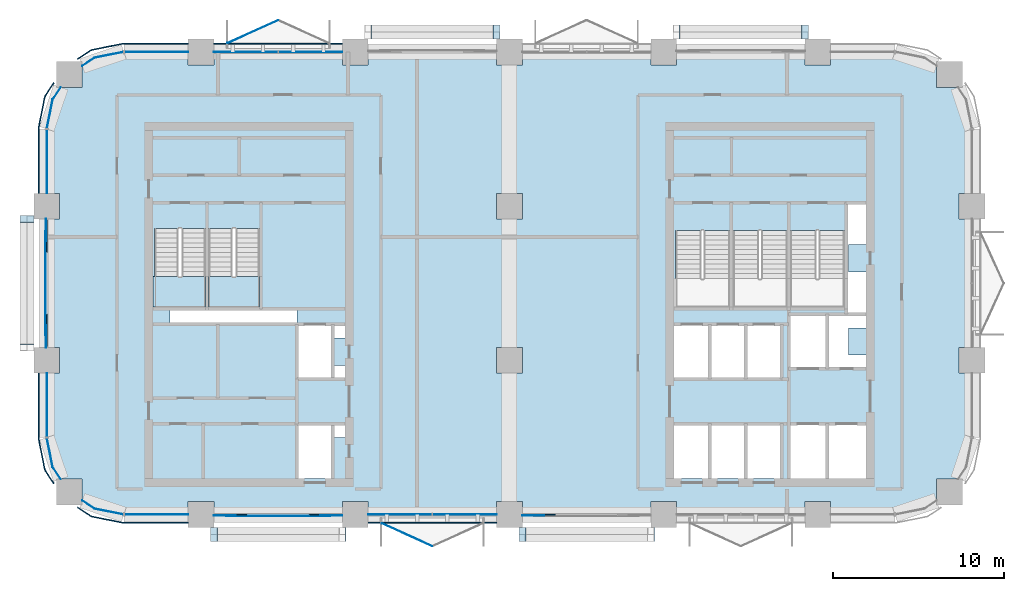
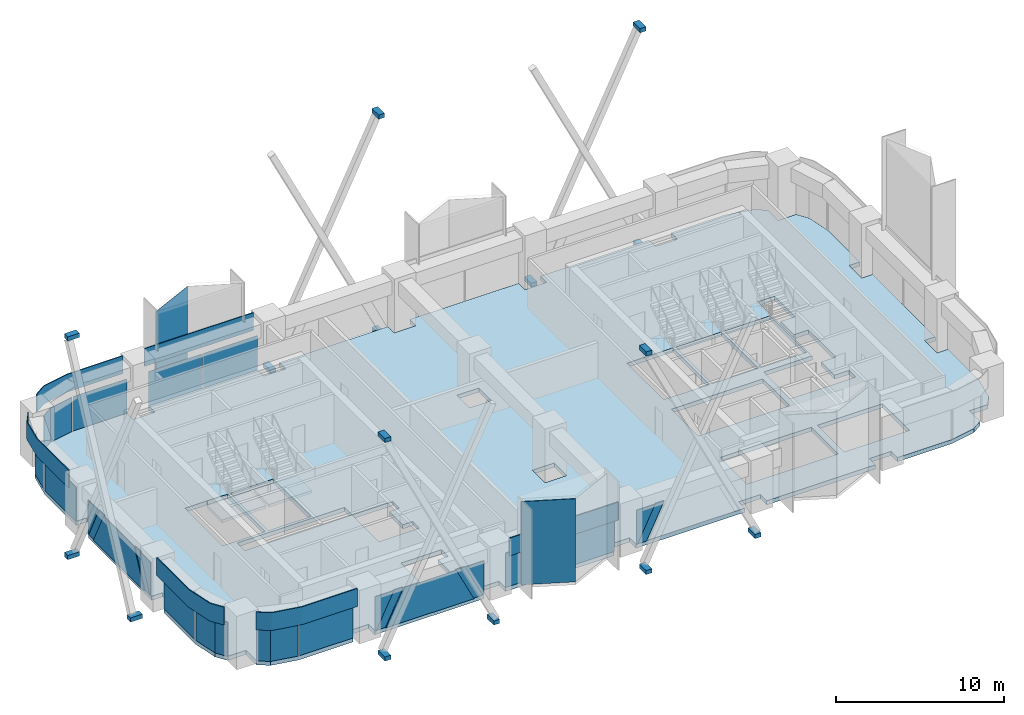
# One storey, part 7 of 14: 32 plates, 15 members, 3 slabs, 11 elements without a shape of their own.
"""IFC4 building model written with IfcOpenShell, lengths in metres."""

from ifc_helpers import new_model, si_unit, direction, frame, origin, origin_2d, place, context, subcontext, project, spatial, polyline, rectangle, outline, extrude, material, layer, layer_set, type_object, element, aggregate, save


model = new_model("IFC4")

# Units and contexts
model_context = context("Model", 3, precision=1e-05, world=origin(), true_north=direction((0.0, 1.0)))
body_context = subcontext(model_context, "Body", "Model", "MODEL_VIEW")
ifc_project = project(units=[si_unit("LENGTHUNIT", "METRE"), si_unit("AREAUNIT", "SQUARE_METRE"), si_unit("VOLUMEUNIT", "CUBIC_METRE"), si_unit("PLANEANGLEUNIT", "RADIAN"), si_unit("MASSUNIT", "GRAM", prefix="KILO")], contexts=[model_context])

# Site, building, storey
site_placement = place(None, origin())
site = spatial("IfcSite", under=ifc_project, at=site_placement, CompositionType="ELEMENT")
building_placement = place(site_placement, origin())
building = spatial("IfcBuilding", under=site, at=building_placement, Name="Tessera Arch", CompositionType="ELEMENT")
storey_placement = place(building_placement, frame((0.0, 0.0, 181.699951171875)))
storey = spatial("IfcBuildingStorey", under=building, at=storey_placement, Name="L43", CompositionType="ELEMENT", Elevation=181.699951171875)

# Members
ifc_material_1 = material(Name="Steel A572 Gr50", Category="steel")
ifc_layer_1 = layer(ifc_material_1, 0.050048828125)
ifc_layer_set_1 = layer_set([ifc_layer_1], Name="Node block Steel A572 Gr50")
member_type = type_object("IfcMemberType", Name="Node block Steel A572 Gr50", PredefinedType="PLATE", material=ifc_layer_set_1)
for number, where, z_axis, x_axis, name in (
    (1, (36.75, 55.156494140625, -1.21142578125), (0.0, 0.0, 1.0), (-1.0, 0.0, 0.0), "Node block seat N54.0-1 1 L43"),
    (2, (44.25, 55.156494140625, -1.21142578125), (0.0, 0.0, 1.0), (-1.0, 0.0, 0.0), "Node block seat N54.0-1 2 L43"),
    (3, (44.25, 55.156494140625, 14.71142578125), (0.0, 0.0, 1.0), (-1.0, 0.0, 0.0), "Node block head N54.0-1 B L43"),
    (4, (18.75, 55.156494140625, -1.21142578125), (0.0, 0.0, 1.0), (-1.0, 0.0, 0.0), "Node block seat N54.0-3 1 L43"),
    (5, (26.25, 55.156494140625, -1.21142578125), (0.0, 0.0, 1.0), (-1.0, 0.0, 0.0), "Node block seat N54.0-3 2 L43"),
    (6, (26.25, 55.156494140625, 14.71142578125), (0.0, 0.0, 1.0), (-1.0, 0.0, 0.0), "Node block head N54.0-3 B L43"),
    (7, (-1.156494140625, 36.75, -1.21142578125), (0.0, 0.0, 1.0), (0.0, -1.0, 0.0), "Node block seat W0.27-1 1 L43"),
    (8, (-1.156494140625, 44.25, -1.21142578125), (0.0, 0.0, 1.0), (0.0, -1.0, 0.0), "Node block seat W0.27-1 2 L43"),
    (9, (-1.156494140625, 44.25, 14.71142578125), (0.0, 0.0, 1.0), (0.0, -1.0, 0.0), "Node block head W0.27-1 B L43"),
    (10, (17.25, 25.843505859375, -1.21142578125), (0.0, 0.0, 1.0), (1.0, 0.0, 0.0), "Node block seat S27.0-1 1 L43"),
    (11, (9.75, 25.843505859375, -1.21142578125), (0.0, 0.0, 1.0), (1.0, 0.0, 0.0), "Node block seat S27.0-1 2 L43"),
    (12, (9.75, 25.843505859375, 14.71142578125), (0.0, 0.0, 1.0), (1.0, 0.0, 0.0), "Node block head S27.0-1 B L43"),
    (13, (35.25, 25.843505859375, -1.21142578125), (0.0, 0.0, 1.0), (1.0, 0.0, 0.0), "Node block seat S27.0-3 1 L43"),
    (14, (27.75, 25.843505859375, -1.21142578125), (0.0, 0.0, 1.0), (1.0, 0.0, 0.0), "Node block seat S27.0-3 2 L43"),
    (15, (27.75, 25.843505859375, 14.71142578125), (0.0, 0.0, 1.0), (1.0, 0.0, 0.0), "Node block head S27.0-3 B L43"),
):
    element("IfcMember", number, at=place(storey_placement, frame(where, z_axis=z_axis, x_axis=x_axis)), inside=storey, type_object=member_type, Name=name, PredefinedType="PLATE", context=body_context, shape_type="SweptSolid", body=[
        extrude(rectangle(XDim=0.406494140625, YDim=0.812744140625, at=origin_2d()), origin(), (0.0, 0.0, 1.0), 0.300048828125),
    ])

# Curtain wall, plates
ifc_material_2 = material(Name="CW1 curtain wall")
curtain_wall_type_1 = type_object("IfcCurtainWallType", Name="CW1 curtain wall", PredefinedType="NOTDEFINED", material=ifc_material_2)
curtain_wall_1_placement = place(storey_placement, origin())
curtain_wall_1 = element("IfcCurtainWall", 16, at=curtain_wall_1_placement, inside=storey, type_object=curtain_wall_type_1, Name="CW1 curtain wall N54.0/4 L43", PredefinedType="NOTDEFINED")
ifc_material_3 = material(Name="Clear low-e glass", Category="glass")
ifc_material_4 = material(Name="Clear low-e glass", Category="glass")
ifc_layer_2 = layer(ifc_material_4, 0.028076171875)
ifc_layer_set_2 = layer_set([ifc_layer_2], Name="CW1 glass panel")
plate_type_1 = type_object("IfcPlateType", Name="CW1 glass panel", PredefinedType="CURTAIN_PANEL", material=ifc_layer_set_2)
plate_1_placement = place(storey_placement, frame((15.389892578125, 54.0, 0.0), z_axis=(0.0, 0.0, 1.0), x_axis=(-1.0, 0.0, 0.0)))
plate_1 = element("IfcPlate", 17, at=plate_1_placement, type_object=plate_type_1, material=ifc_material_3, Name="CW1 glass panel N54.0/4 1.1.1", PredefinedType="CURTAIN_PANEL", context=body_context, shape_type="SweptSolid", body=[
    extrude(rectangle(XDim=3.719970703125, YDim=0.028076171875, at=origin_2d()), origin(), (0.0, 0.0, 1.0), 2.5),
])
plate_2_placement = place(storey_placement, frame((11.610107421875, 54.0, 0.0), z_axis=(0.0, 0.0, 1.0), x_axis=(-1.0, 0.0, 0.0)))
plate_2 = element("IfcPlate", 18, at=plate_2_placement, type_object=plate_type_1, material=ifc_material_3, Name="CW1 glass panel N54.0/4 1.2.1", PredefinedType="CURTAIN_PANEL", context=body_context, shape_type="SweptSolid", body=[
    extrude(rectangle(XDim=3.719970703125, YDim=0.028076171875, at=origin_2d()), origin(), (0.0, 0.0, 1.0), 2.5),
])

curtain_wall_2_placement = place(storey_placement, origin())
curtain_wall_2 = element("IfcCurtainWall", 19, at=curtain_wall_2_placement, inside=storey, type_object=curtain_wall_type_1, Name="CW1 curtain wall S27.0/2 L43", PredefinedType="NOTDEFINED")
plate_3_placement = place(storey_placement, frame((20.610107421875, 27.0, 0.0), z_axis=(0.0, 0.0, 1.0), x_axis=(1.0, 0.0, 0.0)))
plate_3 = element("IfcPlate", 20, at=plate_3_placement, type_object=plate_type_1, material=ifc_material_3, Name="CW1 glass panel S27.0/2 1.1.1", PredefinedType="CURTAIN_PANEL", context=body_context, shape_type="SweptSolid", body=[
    extrude(rectangle(XDim=3.719970703125, YDim=0.028076171875, at=origin_2d()), origin(), (0.0, 0.0, 1.0), 2.5),
])
plate_4_placement = place(storey_placement, frame((24.389892578125, 27.0, 0.0), z_axis=(0.0, 0.0, 1.0), x_axis=(1.0, 0.0, 0.0)))
plate_4 = element("IfcPlate", 21, at=plate_4_placement, type_object=plate_type_1, material=ifc_material_3, Name="CW1 glass panel S27.0/2 1.2.1", PredefinedType="CURTAIN_PANEL", context=body_context, shape_type="SweptSolid", body=[
    extrude(rectangle(XDim=3.719970703125, YDim=0.028076171875, at=origin_2d()), origin(), (0.0, 0.0, 1.0), 2.5),
])

# Plate
ifc_material_5 = material(Name="Pale anodised aluminium panel", Category="aluminium")
ifc_layer_3 = layer(ifc_material_5, 0.06005859375)
ifc_layer_set_3 = layer_set([ifc_layer_3], Name="CW1 spandrel panel")
plate_type_2 = type_object("IfcPlateType", Name="CW1 spandrel panel", PredefinedType="CURTAIN_PANEL", material=ifc_layer_set_3)
plate_5_placement = place(storey_placement, frame((13.5, 54.47998046875, 2.60009765625), z_axis=(0.0, 0.0, 1.0), x_axis=(-1.0, 0.0, 0.0)))
plate_5 = element("IfcPlate", 22, at=plate_5_placement, type_object=plate_type_2, Name="CW1 spandrel panel N54.0/4", PredefinedType="CURTAIN_PANEL", context=body_context, shape_type="SweptSolid", body=[
    extrude(rectangle(XDim=7.5, YDim=0.06005859375, at=origin_2d()), origin(), (0.0, 0.0, 1.0), 1.300048828125),
])

aggregate(curtain_wall_1, [plate_1, plate_2, plate_5])

plate_6_placement = place(storey_placement, frame((22.5, 26.52001953125, 2.60009765625), z_axis=(0.0, 0.0, 1.0), x_axis=(1.0, 0.0, 0.0)))
plate_6 = element("IfcPlate", 23, at=plate_6_placement, type_object=plate_type_2, Name="CW1 spandrel panel S27.0/2", PredefinedType="CURTAIN_PANEL", context=body_context, shape_type="SweptSolid", body=[
    extrude(rectangle(XDim=7.5, YDim=0.06005859375, at=origin_2d()), origin(), (0.0, 0.0, 1.0), 1.300048828125),
])

aggregate(curtain_wall_2, [plate_3, plate_4, plate_6])

# Curtain wall, plates
ifc_material_6 = material(Name="CW2 curtain wall")
curtain_wall_type_2 = type_object("IfcCurtainWallType", Name="CW2 curtain wall", PredefinedType="NOTDEFINED", material=ifc_material_6)
curtain_wall_3_placement = place(storey_placement, origin())
curtain_wall_3 = element("IfcCurtainWall", 24, at=curtain_wall_3_placement, inside=storey, type_object=curtain_wall_type_2, Name="CW2 curtain wall N54.0/5 L43", PredefinedType="NOTDEFINED")
ifc_material_7 = material(Name="Clear low-e glass", Category="glass")
ifc_layer_4 = layer(ifc_material_7, 0.028076171875)
ifc_layer_set_4 = layer_set([ifc_layer_4], Name="CW2 glass panel")
plate_type_3 = type_object("IfcPlateType", Name="CW2 glass panel", PredefinedType="CURTAIN_PANEL", material=ifc_layer_set_4)
plate_7_placement = place(storey_placement, frame((6.39501953125, 54.0, 0.0), z_axis=(0.0, 0.0, 1.0), x_axis=(-1.0, 0.0, 0.0)))
plate_7 = element("IfcPlate", 25, at=plate_7_placement, type_object=plate_type_3, material=ifc_material_3, Name="CW2 glass panel N54.0/5 1.1", PredefinedType="CURTAIN_PANEL", context=body_context, shape_type="SweptSolid", body=[
    extrude(rectangle(XDim=3.7099609375, YDim=0.028076171875, at=origin_2d()), origin(), (0.0, 0.0, 1.0), 2.5),
])
plate_8_placement = place(storey_placement, origin())
plate_8 = element("IfcPlate", 26, at=plate_8_placement, type_object=plate_type_3, material=ifc_material_3, Name="CW2 curved glass panel N54.0/5 2.1", PredefinedType="CURTAIN_PANEL", context=body_context, shape_type="SweptSolid", body=[
    extrude(outline(polyline([(2.783447265625, 53.644287109375), (4.46337890625, 53.978515625), (4.4580078125, 54.005859375), (2.7724609375, 53.670654296875), (2.060302734375, 53.19482421875), (2.07568359375, 53.17138671875), (2.783447265625, 53.644287109375)])), origin(), (0.0, 0.0, 1.0), 2.5),
])

curtain_wall_4_placement = place(storey_placement, origin())
curtain_wall_4 = element("IfcCurtainWall", 27, at=curtain_wall_4_placement, inside=storey, type_object=curtain_wall_type_2, Name="CW2 curtain wall W0.27/0 L43", PredefinedType="NOTDEFINED")
plate_9_placement = place(storey_placement, frame((0.0, 47.60498046875, 0.0), z_axis=(0.0, 0.0, 1.0), x_axis=(0.0, -1.0, 0.0)))
plate_9 = element("IfcPlate", 28, at=plate_9_placement, type_object=plate_type_3, material=ifc_material_3, Name="CW2 glass panel W0.27/0 1.1", PredefinedType="CURTAIN_PANEL", context=body_context, shape_type="SweptSolid", body=[
    extrude(rectangle(XDim=3.7099609375, YDim=0.028076171875, at=origin_2d()), origin(), (0.0, 0.0, 1.0), 2.5),
])
plate_10_placement = place(storey_placement, origin())
plate_10 = element("IfcPlate", 29, at=plate_10_placement, type_object=plate_type_3, material=ifc_material_3, Name="CW2 curved glass panel W0.27/0 2.1", PredefinedType="CURTAIN_PANEL", context=body_context, shape_type="SweptSolid", body=[
    extrude(outline(polyline([(0.355712890625, 51.216552734375), (0.82861328125, 51.92431640625), (0.80517578125, 51.939697265625), (0.329345703125, 51.2275390625), (-0.005859375, 49.5419921875), (0.021484375, 49.53662109375), (0.355712890625, 51.216552734375)])), origin(), (0.0, 0.0, 1.0), 2.5),
])

curtain_wall_5_placement = place(storey_placement, origin())
curtain_wall_5 = element("IfcCurtainWall", 30, at=curtain_wall_5_placement, inside=storey, type_object=curtain_wall_type_2, Name="CW2 curtain wall W0.27/2 L43", PredefinedType="NOTDEFINED")
plate_11_placement = place(storey_placement, frame((0.0, 33.39501953125, 0.0), z_axis=(0.0, 0.0, 1.0), x_axis=(0.0, -1.0, 0.0)))
plate_11 = element("IfcPlate", 31, at=plate_11_placement, type_object=plate_type_3, material=ifc_material_3, Name="CW2 glass panel W0.27/2 1.1", PredefinedType="CURTAIN_PANEL", context=body_context, shape_type="SweptSolid", body=[
    extrude(rectangle(XDim=3.7099609375, YDim=0.028076171875, at=origin_2d()), origin(), (0.0, 0.0, 1.0), 2.5),
])
plate_12_placement = place(storey_placement, origin())
plate_12 = element("IfcPlate", 32, at=plate_12_placement, type_object=plate_type_3, material=ifc_material_3, Name="CW2 curved glass panel W0.27/2 2.1", PredefinedType="CURTAIN_PANEL", context=body_context, shape_type="SweptSolid", body=[
    extrude(outline(polyline([(0.355712890625, 29.783447265625), (0.021484375, 31.46337890625), (-0.005859375, 31.4580078125), (0.329345703125, 29.7724609375), (0.80517578125, 29.060302734375), (0.82861328125, 29.07568359375), (0.355712890625, 29.783447265625)])), origin(), (0.0, 0.0, 1.0), 2.5),
])

curtain_wall_6_placement = place(storey_placement, origin())
curtain_wall_6 = element("IfcCurtainWall", 33, at=curtain_wall_6_placement, inside=storey, type_object=curtain_wall_type_2, Name="CW2 curtain wall S27.0/0 L43", PredefinedType="NOTDEFINED")
plate_13_placement = place(storey_placement, frame((6.39501953125, 27.0, 0.0), z_axis=(0.0, 0.0, 1.0), x_axis=(1.0, 0.0, 0.0)))
plate_13 = element("IfcPlate", 34, at=plate_13_placement, type_object=plate_type_3, material=ifc_material_3, Name="CW2 glass panel S27.0/0 1.1", PredefinedType="CURTAIN_PANEL", context=body_context, shape_type="SweptSolid", body=[
    extrude(rectangle(XDim=3.7099609375, YDim=0.028076171875, at=origin_2d()), origin(), (0.0, 0.0, 1.0), 2.5),
])
plate_14_placement = place(storey_placement, origin())
plate_14 = element("IfcPlate", 35, at=plate_14_placement, type_object=plate_type_3, material=ifc_material_3, Name="CW2 curved glass panel S27.0/0 2.1", PredefinedType="CURTAIN_PANEL", context=body_context, shape_type="SweptSolid", body=[
    extrude(outline(polyline([(2.783447265625, 27.355712890625), (2.07568359375, 27.82861328125), (2.060302734375, 27.80517578125), (2.7724609375, 27.329345703125), (4.4580078125, 26.994140625), (4.46337890625, 27.021484375), (2.783447265625, 27.355712890625)])), origin(), (0.0, 0.0, 1.0), 2.5),
])

# Plate
ifc_material_8 = material(Name="Pale anodised aluminium panel", Category="aluminium")
ifc_layer_5 = layer(ifc_material_8, 0.06005859375)
ifc_layer_set_5 = layer_set([ifc_layer_5], Name="CW2 spandrel panel")
plate_type_4 = type_object("IfcPlateType", Name="CW2 spandrel panel", PredefinedType="CURTAIN_PANEL", material=ifc_layer_set_5)
plate_15_placement = place(storey_placement, frame((0.0, 0.0, 2.60009765625)))
plate_15 = element("IfcPlate", 36, at=plate_15_placement, type_object=plate_type_4, Name="CW2 spandrel panel N54.0/5", PredefinedType="CURTAIN_PANEL", context=body_context, shape_type="SweptSolid", body=[
    extrude(outline(polyline([(4.500732421875, 54.449951171875), (8.25, 54.449951171875), (8.25, 54.510009765625), (4.499267578125, 54.510009765625), (4.449951171875, 54.507568359375), (4.401123046875, 54.500244140625), (2.677734375, 54.157470703125), (2.6298828125, 54.1455078125), (2.582763671875, 54.128662109375), (2.537353515625, 54.107421875), (2.4951171875, 54.08203125), (1.78466796875, 53.607177734375), (1.81787109375, 53.55712890625), (2.52734375, 54.03125), (2.565673828125, 54.054443359375), (2.605712890625, 54.0732421875), (2.647216796875, 54.088134765625), (2.69091796875, 54.09912109375), (4.411376953125, 54.441162109375), (4.455810546875, 54.44775390625), (4.500732421875, 54.449951171875)])), origin(), (0.0, 0.0, 1.0), 1.300048828125),
])

aggregate(curtain_wall_3, [plate_7, plate_8, plate_15])

plate_16_placement = place(storey_placement, frame((0.0, 0.0, 2.60009765625)))
plate_16 = element("IfcPlate", 37, at=plate_16_placement, type_object=plate_type_4, Name="CW2 spandrel panel W0.27/0", PredefinedType="CURTAIN_PANEL", context=body_context, shape_type="SweptSolid", body=[
    extrude(outline(polyline([(-0.03125, 51.47265625), (0.44287109375, 52.18212890625), (0.392822265625, 52.21533203125), (-0.08203125, 51.5048828125), (-0.107421875, 51.462646484375), (-0.128662109375, 51.417236328125), (-0.1455078125, 51.3701171875), (-0.157470703125, 51.322265625), (-0.500244140625, 49.598876953125), (-0.507568359375, 49.550048828125), (-0.510009765625, 49.500732421875), (-0.510009765625, 45.75), (-0.449951171875, 45.75), (-0.449951171875, 49.499267578125), (-0.44775390625, 49.544189453125), (-0.441162109375, 49.588623046875), (-0.09912109375, 51.30908203125), (-0.088134765625, 51.352783203125), (-0.0732421875, 51.394287109375), (-0.054443359375, 51.434326171875), (-0.03125, 51.47265625)])), origin(), (0.0, 0.0, 1.0), 1.300048828125),
])

aggregate(curtain_wall_4, [plate_9, plate_10, plate_16])

plate_17_placement = place(storey_placement, frame((0.0, 0.0, 2.60009765625)))
plate_17 = element("IfcPlate", 38, at=plate_17_placement, type_object=plate_type_4, Name="CW2 spandrel panel W0.27/2", PredefinedType="CURTAIN_PANEL", context=body_context, shape_type="SweptSolid", body=[
    extrude(outline(polyline([(-0.449951171875, 31.500732421875), (-0.449951171875, 35.25), (-0.510009765625, 35.25), (-0.510009765625, 31.499267578125), (-0.507568359375, 31.449951171875), (-0.500244140625, 31.401123046875), (-0.157470703125, 29.677734375), (-0.1455078125, 29.6298828125), (-0.128662109375, 29.582763671875), (-0.107421875, 29.537353515625), (-0.08203125, 29.4951171875), (0.392822265625, 28.78466796875), (0.44287109375, 28.81787109375), (-0.03125, 29.52734375), (-0.054443359375, 29.565673828125), (-0.0732421875, 29.605712890625), (-0.088134765625, 29.647216796875), (-0.09912109375, 29.69091796875), (-0.441162109375, 31.411376953125), (-0.44775390625, 31.455810546875), (-0.449951171875, 31.500732421875)])), origin(), (0.0, 0.0, 1.0), 1.300048828125),
])

aggregate(curtain_wall_5, [plate_11, plate_12, plate_17])

plate_18_placement = place(storey_placement, frame((0.0, 0.0, 2.60009765625)))
plate_18 = element("IfcPlate", 39, at=plate_18_placement, type_object=plate_type_4, Name="CW2 spandrel panel S27.0/0", PredefinedType="CURTAIN_PANEL", context=body_context, shape_type="SweptSolid", body=[
    extrude(outline(polyline([(2.52734375, 26.96875), (1.81787109375, 27.44287109375), (1.78466796875, 27.392822265625), (2.4951171875, 26.91796875), (2.537353515625, 26.892578125), (2.582763671875, 26.871337890625), (2.6298828125, 26.8544921875), (2.677734375, 26.842529296875), (4.401123046875, 26.499755859375), (4.449951171875, 26.492431640625), (4.499267578125, 26.489990234375), (8.25, 26.489990234375), (8.25, 26.550048828125), (4.500732421875, 26.550048828125), (4.455810546875, 26.55224609375), (4.411376953125, 26.558837890625), (2.69091796875, 26.90087890625), (2.647216796875, 26.911865234375), (2.605712890625, 26.9267578125), (2.565673828125, 26.945556640625), (2.52734375, 26.96875)])), origin(), (0.0, 0.0, 1.0), 1.300048828125),
])

aggregate(curtain_wall_6, [plate_13, plate_14, plate_18])

# Curtain wall, plates
ifc_material_9 = material(Name="CW3 curtain wall")
curtain_wall_type_3 = type_object("IfcCurtainWallType", Name="CW3 curtain wall", PredefinedType="NOTDEFINED", material=ifc_material_9)
curtain_wall_7_placement = place(storey_placement, origin())
curtain_wall_7 = element("IfcCurtainWall", 40, at=curtain_wall_7_placement, inside=storey, type_object=curtain_wall_type_3, Name="CW3 curtain wall W0.27/1 L43", PredefinedType="NOTDEFINED")
ifc_material_10 = material(Name="Pale anodised aluminium panel", Category="aluminium")
ifc_layer_6 = layer(ifc_material_10, 0.06005859375)
ifc_layer_set_6 = layer_set([ifc_layer_6], Name="CW3 diagonal panel")
plate_type_5 = type_object("IfcPlateType", Name="CW3 diagonal panel", PredefinedType="CURTAIN_PANEL", material=ifc_layer_set_6)
plate_19_placement = place(storey_placement, frame((-0.030029296875, 38.0361328125, 2.5), z_axis=(-1.0, 0.0, 0.0), x_axis=(0.0, 1.0, 0.0)))
plate_19 = element("IfcPlate", 41, at=plate_19_placement, type_object=plate_type_5, Name="CW3 diagonal panel W0.27/1 1", PredefinedType="CURTAIN_PANEL", context=body_context, shape_type="SweptSolid", body=[
    extrude(outline(polyline([(0.0, 0.0), (0.641845703125, 0.0), (-0.57568359375, 2.5), (-1.217529296875, 2.5), (0.0, 0.0)])), origin(), (0.0, 0.0, -1.0), 0.06005859375),
])
plate_20_placement = place(storey_placement, frame((-0.030029296875, 42.322021484375, 2.5), z_axis=(-1.0, 0.0, 0.0), x_axis=(0.0, 1.0, 0.0)))
plate_20 = element("IfcPlate", 42, at=plate_20_placement, type_object=plate_type_5, Name="CW3 diagonal panel W0.27/1 2", PredefinedType="CURTAIN_PANEL", context=body_context, shape_type="SweptSolid", body=[
    extrude(outline(polyline([(0.0, 0.0), (0.641845703125, 0.0), (1.859375, 2.5), (1.217529296875, 2.5), (0.0, 0.0)])), origin(), (0.0, 0.0, -1.0), 0.06005859375),
])

curtain_wall_8_placement = place(storey_placement, origin())
curtain_wall_8 = element("IfcCurtainWall", 43, at=curtain_wall_8_placement, inside=storey, type_object=curtain_wall_type_3, Name="CW3 curtain wall S27.0/1 L43", PredefinedType="NOTDEFINED")
plate_21_placement = place(storey_placement, frame((15.9638671875, 26.969970703125, 2.5), z_axis=(0.0, -1.0, 0.0), x_axis=(-1.0, 0.0, 0.0)))
plate_21 = element("IfcPlate", 44, at=plate_21_placement, type_object=plate_type_5, Name="CW3 diagonal panel S27.0/1 1", PredefinedType="CURTAIN_PANEL", context=body_context, shape_type="SweptSolid", body=[
    extrude(outline(polyline([(0.0, 0.0), (0.641845703125, 0.0), (-0.57568359375, 2.5), (-1.217529296875, 2.5), (0.0, 0.0)])), origin(), (0.0, 0.0, -1.0), 0.06005859375),
])
plate_22_placement = place(storey_placement, frame((11.677978515625, 26.969970703125, 2.5), z_axis=(0.0, -1.0, 0.0), x_axis=(-1.0, 0.0, 0.0)))
plate_22 = element("IfcPlate", 45, at=plate_22_placement, type_object=plate_type_5, Name="CW3 diagonal panel S27.0/1 2", PredefinedType="CURTAIN_PANEL", context=body_context, shape_type="SweptSolid", body=[
    extrude(outline(polyline([(0.0, 0.0), (0.641845703125, 0.0), (1.859375, 2.5), (1.217529296875, 2.5), (0.0, 0.0)])), origin(), (0.0, 0.0, -1.0), 0.06005859375),
])

# Curtain wall, plate
curtain_wall_9_placement = place(storey_placement, origin())
curtain_wall_9 = element("IfcCurtainWall", 46, at=curtain_wall_9_placement, inside=storey, type_object=curtain_wall_type_3, Name="CW3 curtain wall S27.0/3 L43", PredefinedType="NOTDEFINED")
plate_23_placement = place(storey_placement, frame((29.677978515625, 26.969970703125, 2.5), z_axis=(0.0, -1.0, 0.0), x_axis=(-1.0, 0.0, 0.0)))
plate_23 = element("IfcPlate", 47, at=plate_23_placement, type_object=plate_type_5, Name="CW3 diagonal panel S27.0/3 2", PredefinedType="CURTAIN_PANEL", context=body_context, shape_type="SweptSolid", body=[
    extrude(outline(polyline([(0.0, 0.0), (0.641845703125, 0.0), (1.859375, 2.5), (1.217529296875, 2.5), (0.0, 0.0)])), origin(), (0.0, 0.0, -1.0), 0.06005859375),
])

# Plate
ifc_material_11 = material(Name="Clear low-e glass", Category="glass")
ifc_layer_7 = layer(ifc_material_11, 0.028076171875)
ifc_layer_set_7 = layer_set([ifc_layer_7], Name="CW3 glass panel")
plate_type_6 = type_object("IfcPlateType", Name="CW3 glass panel", PredefinedType="CURTAIN_PANEL", material=ifc_layer_set_7)
plate_24_placement = place(storey_placement, frame((-0.05810546875, 44.25, 0.0), z_axis=(-1.0, 0.0, 0.0), x_axis=(0.0, -1.0, 0.0)))
plate_24 = element("IfcPlate", 48, at=plate_24_placement, type_object=plate_type_6, material=ifc_material_3, Name="CW3 triangulated glass panel W0.27/1 1", PredefinedType="CURTAIN_PANEL", context=body_context, shape_type="SweptSolid", body=[
    extrude(outline(polyline([(0.0, 0.0), (0.068603515625, 0.0), (1.2861328125, 2.5), (0.0, 2.5), (0.0, 0.0)])), origin(), (0.0, 0.0, -1.0), 0.028076171875),
])

plate_25_placement = place(storey_placement, frame((-0.0859375, 38.677978515625, 2.5), z_axis=(-1.0, 0.0, 0.0), x_axis=(0.0, 1.0, 0.0)))
plate_25 = element("IfcPlate", 49, at=plate_25_placement, type_object=plate_type_6, material=ifc_material_3, Name="CW3 triangulated glass panel W0.27/1 2", PredefinedType="CURTAIN_PANEL", context=body_context, shape_type="SweptSolid", body=[
    extrude(outline(polyline([(0.0, 0.0), (3.64404296875, 0.0), (4.861572265625, 2.5), (-1.217529296875, 2.5), (0.0, 0.0)])), origin(), (0.0, 0.0, -1.0), 0.028076171875),
])

plate_26_placement = place(storey_placement, frame((-0.05810546875, 36.75, 2.5), z_axis=(-1.0, 0.0, 0.0), x_axis=(0.0, 1.0, 0.0)))
plate_26 = element("IfcPlate", 50, at=plate_26_placement, type_object=plate_type_6, material=ifc_material_3, Name="CW3 triangulated glass panel W0.27/1 3", PredefinedType="CURTAIN_PANEL", context=body_context, shape_type="SweptSolid", body=[
    extrude(outline(polyline([(0.0, 0.0), (1.2861328125, 0.0), (0.068603515625, 2.5), (0.0, 2.5), (0.0, 0.0)])), origin(), (0.0, 0.0, -1.0), 0.028076171875),
])

aggregate(curtain_wall_7, [plate_24, plate_25, plate_26, plate_19, plate_20])

plate_27_placement = place(storey_placement, frame((9.75, 26.94189453125, 0.0), z_axis=(0.0, -1.0, 0.0), x_axis=(1.0, 0.0, 0.0)))
plate_27 = element("IfcPlate", 51, at=plate_27_placement, type_object=plate_type_6, material=ifc_material_3, Name="CW3 triangulated glass panel S27.0/1 1", PredefinedType="CURTAIN_PANEL", context=body_context, shape_type="SweptSolid", body=[
    extrude(outline(polyline([(0.0, 0.0), (0.068603515625, 0.0), (1.2861328125, 2.5), (0.0, 2.5), (0.0, 0.0)])), origin(), (0.0, 0.0, -1.0), 0.028076171875),
])

plate_28_placement = place(storey_placement, frame((15.322021484375, 26.9140625, 2.5), z_axis=(0.0, -1.0, 0.0), x_axis=(-1.0, 0.0, 0.0)))
plate_28 = element("IfcPlate", 52, at=plate_28_placement, type_object=plate_type_6, material=ifc_material_3, Name="CW3 triangulated glass panel S27.0/1 2", PredefinedType="CURTAIN_PANEL", context=body_context, shape_type="SweptSolid", body=[
    extrude(outline(polyline([(0.0, 0.0), (3.64404296875, 0.0), (4.861572265625, 2.5), (-1.217529296875, 2.5), (0.0, 0.0)])), origin(), (0.0, 0.0, -1.0), 0.028076171875),
])

plate_29_placement = place(storey_placement, frame((17.25, 26.94189453125, 2.5), z_axis=(0.0, -1.0, 0.0), x_axis=(-1.0, 0.0, 0.0)))
plate_29 = element("IfcPlate", 53, at=plate_29_placement, type_object=plate_type_6, material=ifc_material_3, Name="CW3 triangulated glass panel S27.0/1 3", PredefinedType="CURTAIN_PANEL", context=body_context, shape_type="SweptSolid", body=[
    extrude(outline(polyline([(0.0, 0.0), (1.2861328125, 0.0), (0.068603515625, 2.5), (0.0, 2.5), (0.0, 0.0)])), origin(), (0.0, 0.0, -1.0), 0.028076171875),
])

aggregate(curtain_wall_8, [plate_27, plate_28, plate_29, plate_21, plate_22])

plate_30_placement = place(storey_placement, frame((27.75, 26.94189453125, 0.0), z_axis=(0.0, -1.0, 0.0), x_axis=(1.0, 0.0, 0.0)))
plate_30 = element("IfcPlate", 54, at=plate_30_placement, type_object=plate_type_6, material=ifc_material_3, Name="CW3 triangulated glass panel S27.0/3 1", PredefinedType="CURTAIN_PANEL", context=body_context, shape_type="SweptSolid", body=[
    extrude(outline(polyline([(0.0, 0.0), (0.068603515625, 0.0), (1.2861328125, 2.5), (0.0, 2.5), (0.0, 0.0)])), origin(), (0.0, 0.0, -1.0), 0.028076171875),
])

aggregate(curtain_wall_9, [plate_30, plate_23])

# Slab
ifc_material_12 = material(Name="Concrete C40/50", Category="concrete")
ifc_layer_8 = layer(ifc_material_12, 0.300048828125)
ifc_layer_set_8 = layer_set([ifc_layer_8], Name="Floor slab 300 Concrete C40/50")
slab_type_1 = type_object("IfcSlabType", Name="Floor slab 300 Concrete C40/50", PredefinedType="FLOOR", material=ifc_layer_set_8)
slab_1_placement = place(storey_placement, frame((0.0, 0.0, -0.300048828125)))
element("IfcSlab", 55, at=slab_1_placement, inside=storey, type_object=slab_type_1, Name="Floor slab L43 1", PredefinedType="FLOOR", context=body_context, shape_type="SweptSolid", body=[
    extrude(outline(polyline([(54.0, 31.5), (53.657470703125, 29.77783203125), (53.18310546875, 29.068115234375), (51.931884765625, 29.068115234375), (51.931884765625, 27.81689453125), (51.22216796875, 27.342529296875), (49.5, 27.0), (45.75, 27.0), (45.75, 27.75), (44.25, 27.75), (44.25, 27.0), (36.75, 27.0), (36.75, 27.75), (35.25, 27.75), (35.25, 27.0), (27.75, 27.0), (27.75, 27.75), (26.25, 27.75), (26.25, 27.0), (18.75, 27.0), (18.75, 27.75), (17.25, 27.75), (17.25, 27.0), (9.75, 27.0), (9.75, 27.75), (8.25, 27.75), (8.25, 27.0), (4.5, 27.0), (2.77783203125, 27.342529296875), (2.068115234375, 27.81689453125), (2.068115234375, 29.068115234375), (0.81689453125, 29.068115234375), (0.342529296875, 29.77783203125), (0.0, 31.5), (0.0, 35.25), (0.75, 35.25), (0.75, 36.75), (0.0, 36.75), (0.0, 44.25), (0.75, 44.25), (0.75, 45.75), (0.0, 45.75), (0.0, 49.5), (0.342529296875, 51.22216796875), (0.81689453125, 51.931884765625), (2.068115234375, 51.931884765625), (2.068115234375, 53.18310546875), (2.77783203125, 53.657470703125), (4.5, 54.0), (8.25, 54.0), (8.25, 53.25), (9.75, 53.25), (9.75, 54.0), (17.25, 54.0), (17.25, 53.25), (18.75, 53.25), (18.75, 54.0), (26.25, 54.0), (26.25, 53.25), (27.75, 53.25), (27.75, 54.0), (35.25, 54.0), (35.25, 53.25), (36.75, 53.25), (36.75, 54.0), (44.25, 54.0), (44.25, 53.25), (45.75, 53.25), (45.75, 54.0), (49.5, 54.0), (51.22216796875, 53.657470703125), (51.931884765625, 53.18310546875), (51.931884765625, 51.931884765625), (53.18310546875, 51.931884765625), (53.657470703125, 51.22216796875), (54.0, 49.5), (54.0, 45.75), (53.25, 45.75), (53.25, 44.25), (54.0, 44.25), (54.0, 36.75), (53.25, 36.75), (53.25, 35.25), (54.0, 35.25), (54.0, 31.5)]), holes=[polyline([(14.60009765625, 29.10009765625), (16.699951171875, 29.10009765625), (16.699951171875, 31.5), (17.39990234375, 31.5), (17.39990234375, 32.300048828125), (16.699951171875, 32.300048828125), (14.60009765625, 32.300048828125), (14.60009765625, 29.10009765625)]), polyline([(26.25, 36.75), (26.25, 35.25), (27.75, 35.25), (27.75, 36.75), (26.25, 36.75)]), polyline([(17.39990234375, 37.300048828125), (17.39990234375, 38.10009765625), (16.699951171875, 38.10009765625), (14.60498046875, 38.10009765625), (14.60498046875, 38.10498046875), (14.60009765625, 38.10498046875), (14.60009765625, 39.0), (7.199951171875, 39.0), (7.199951171875, 38.10009765625), (14.594970703125, 38.10009765625), (14.594970703125, 38.094970703125), (14.60009765625, 38.094970703125), (14.60009765625, 34.89990234375), (16.699951171875, 34.89990234375), (17.39990234375, 34.89990234375), (17.39990234375, 35.699951171875), (16.699951171875, 35.699951171875), (16.699951171875, 37.300048828125), (17.39990234375, 37.300048828125)]), polyline([(6.300048828125, 43.68994140625), (6.300048828125, 39.199951171875), (9.25, 39.199951171875), (9.25, 43.68994140625), (7.85009765625, 43.68994140625), (7.85009765625, 43.699951171875), (7.699951171875, 43.699951171875), (7.699951171875, 43.68994140625), (6.300048828125, 43.68994140625)]), polyline([(9.449951171875, 39.199951171875), (12.39990234375, 39.199951171875), (12.39990234375, 43.68994140625), (11.0, 43.68994140625), (11.0, 43.699951171875), (10.85009765625, 43.699951171875), (10.85009765625, 43.68994140625), (9.449951171875, 43.68994140625), (9.449951171875, 39.199951171875)]), polyline([(38.699951171875, 29.10009765625), (40.800048828125, 29.10009765625), (42.89990234375, 29.10009765625), (42.89990234375, 32.300048828125), (40.800048828125, 32.300048828125), (38.699951171875, 32.300048828125), (36.60009765625, 32.300048828125), (36.60009765625, 29.10009765625), (38.699951171875, 29.10009765625)]), polyline([(45.550048828125, 32.300048828125), (43.300048828125, 32.300048828125), (43.300048828125, 29.10009765625), (45.550048828125, 29.10009765625), (47.800048828125, 29.10009765625), (47.800048828125, 32.300048828125), (45.550048828125, 32.300048828125)]), polyline([(40.800048828125, 34.89990234375), (42.89990234375, 34.89990234375), (42.89990234375, 38.10009765625), (40.800048828125, 38.10009765625), (38.699951171875, 38.10009765625), (36.60009765625, 38.10009765625), (36.60009765625, 34.89990234375), (38.699951171875, 34.89990234375), (40.800048828125, 34.89990234375)]), polyline([(47.800048828125, 42.75), (47.800048828125, 45.199951171875), (46.64990234375, 45.199951171875), (46.64990234375, 38.699951171875), (45.550048828125, 38.699951171875), (43.300048828125, 38.699951171875), (43.300048828125, 35.5), (45.550048828125, 35.5), (47.800048828125, 35.5), (47.800048828125, 36.300048828125), (46.800048828125, 36.300048828125), (46.800048828125, 37.89990234375), (47.800048828125, 37.89990234375), (47.800048828125, 38.699951171875), (47.800048828125, 41.14990234375), (46.800048828125, 41.14990234375), (46.800048828125, 42.75), (47.800048828125, 42.75)]), polyline([(36.699951171875, 39.199951171875), (39.85009765625, 39.199951171875), (39.85009765625, 43.570068359375), (38.330078125, 43.570068359375), (38.330078125, 43.580078125), (38.219970703125, 43.580078125), (38.219970703125, 43.570068359375), (36.699951171875, 43.570068359375), (36.699951171875, 39.199951171875)]), polyline([(40.050048828125, 39.199951171875), (43.199951171875, 39.199951171875), (43.199951171875, 43.570068359375), (41.679931640625, 43.570068359375), (41.679931640625, 43.580078125), (41.570068359375, 43.580078125), (41.570068359375, 43.570068359375), (40.050048828125, 43.570068359375), (40.050048828125, 39.199951171875)]), polyline([(43.39990234375, 43.570068359375), (43.39990234375, 39.199951171875), (46.550048828125, 39.199951171875), (46.550048828125, 43.570068359375), (45.030029296875, 43.570068359375), (45.030029296875, 43.580078125), (44.919921875, 43.580078125), (44.919921875, 43.570068359375), (43.39990234375, 43.570068359375)]), polyline([(26.25, 45.75), (26.25, 44.25), (27.75, 44.25), (27.75, 45.75), (26.25, 45.75)])]), origin(), (0.0, 0.0, 1.0), 0.300048828125),
])

# Stair, slab
ifc_material_13 = material(Name="Concrete C40/50", Category="concrete")
stair_type = type_object("IfcStairType", Name="Dogleg stair 1400", PredefinedType="HALF_TURN_STAIR", material=ifc_material_13)
stair_1_placement = place(storey_placement, origin())
stair_1 = element("IfcStair", 56, at=stair_1_placement, inside=storey, type_object=stair_type, Name="L43 S2a", PredefinedType="HALF_TURN_STAIR")
ifc_material_14 = material(Name="Concrete C40/50", Category="concrete")
ifc_layer_9 = layer(ifc_material_14, 0.300048828125)
ifc_layer_set_9 = layer_set([ifc_layer_9], Name="Stair landing 300")
slab_type_2 = type_object("IfcSlabType", Name="Stair landing 300", PredefinedType="LANDING", material=ifc_layer_set_9)
slab_2_placement = place(storey_placement, frame((0.0, 0.0, 1.75)))
slab_2 = element("IfcSlab", 57, at=slab_2_placement, type_object=slab_type_2, Name="S2a landing 1", PredefinedType="LANDING", context=body_context, shape_type="SweptSolid", body=[
    extrude(outline(polyline([(6.199951171875, 40.89990234375), (6.199951171875, 39.10009765625), (9.25, 39.10009765625), (9.25, 40.89990234375), (6.199951171875, 40.89990234375)])), origin(), (0.0, 0.0, 1.0), 0.199951171875),
])
aggregate(stair_1, [slab_2])

stair_2_placement = place(storey_placement, origin())
stair_2 = element("IfcStair", 58, at=stair_2_placement, inside=storey, type_object=stair_type, Name="L43 S2b", PredefinedType="HALF_TURN_STAIR")
slab_3_placement = place(storey_placement, frame((0.0, 0.0, 1.75)))
slab_3 = element("IfcSlab", 59, at=slab_3_placement, type_object=slab_type_2, Name="S2b landing 1", PredefinedType="LANDING", context=body_context, shape_type="SweptSolid", body=[
    extrude(outline(polyline([(9.449951171875, 40.89990234375), (9.449951171875, 39.10009765625), (12.39990234375, 39.10009765625), (12.39990234375, 40.89990234375), (9.449951171875, 40.89990234375)])), origin(), (0.0, 0.0, 1.0), 0.199951171875),
])
aggregate(stair_2, [slab_3])

# Plates
ifc_material_15 = material(Name="Clear low-e glass", Category="glass")
ifc_layer_10 = layer(ifc_material_15, 0.028076171875)
ifc_layer_set_10 = layer_set([ifc_layer_10], Name="Window box glass facet")
plate_type_7 = type_object("IfcPlateType", Name="Window box glass facet", PredefinedType="SHEET", material=ifc_layer_set_10)
for number, where, z_axis, x_axis, name in (
    (60, (12.02490234375, 55.179931640625, 0.219970703125), (0.0, 0.0, 1.0), (0.910472144558, 0.413570397858, 0.0), "Window box N54.0/4.0 2x2 glass"),
    (61, (21.02490234375, 25.820068359375, 0.219970703125), (0.0, 0.0, 1.0), (0.910472144558, -0.413570397858, 0.0), "Window box S27.0/2.0 2x2 glass"),
):
    element("IfcPlate", number, at=place(storey_placement, frame(where, z_axis=z_axis, x_axis=x_axis)), inside=storey, type_object=plate_type_7, Name=name, PredefinedType="SHEET", context=body_context, shape_type="SweptSolid", body=[
        extrude(rectangle(XDim=3.239990234375, YDim=0.028076171875, at=origin_2d()), origin(), (0.0, 0.0, 1.0), 6.06005859375),
    ])

save(model, "model.ifc")
